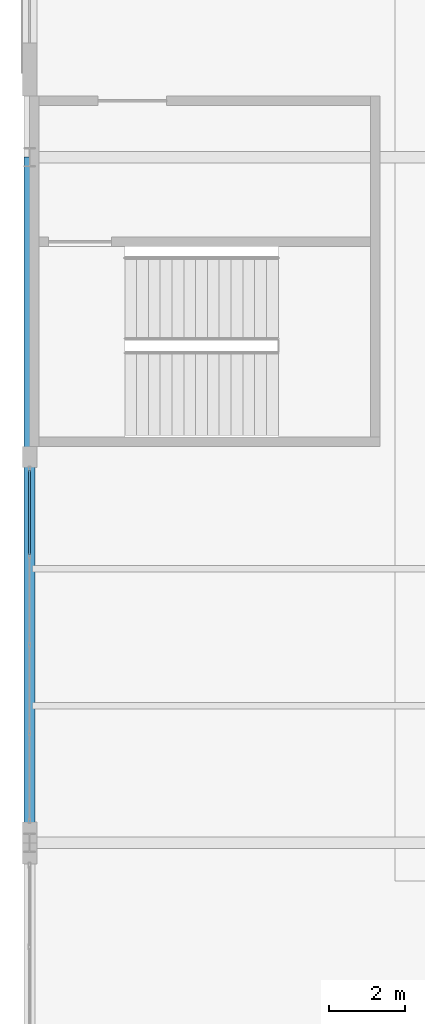
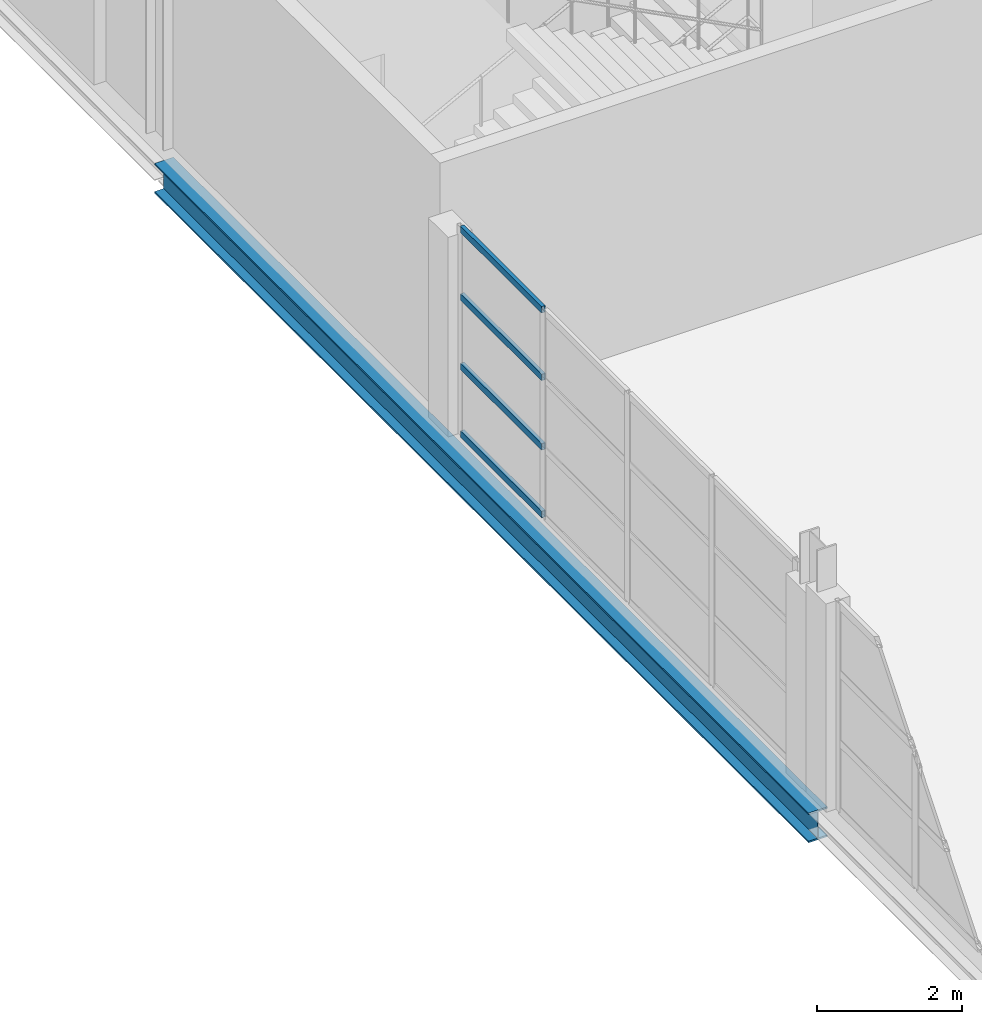
# One storey, part 34 of 158: 4 members, 1 beam, 1 element without a shape of its own.
"""IFC4 building model written with IfcOpenShell, lengths in metres."""

import ifcopenshell
import ifcopenshell.guid

model = None  # the IFC model being written
_history = None  # IfcOwnerHistory: only IFC2X3 demands one
_inside = {}  # id of a spatial element -> (the spatial element, [elements in it])
_under = {}  # id of a project, library or spatial element -> (it, [spatial elements below it])
_declared = {}  # id of a project -> (the project, [libraries it declares])
_typed = {}  # id of a type object -> (the type object, [elements of that type])
_made_of = {}  # id of a material, layer set ... -> (it, [elements and type objects made of it])


def new_model(schema):
    """Start an empty IFC model of exactly this schema.

    Asked for "IFC4X3", IfcOpenShell would pick the latest addendum, in which some entities
    have other attributes; the version numbers below select the first issue.
    IFC2X3 requires an IfcOwnerHistory on every rooted entity: one is made here for all.
    """
    global model, _history
    if schema == "IFC4X3":
        model = ifcopenshell.file(schema_version=(4, 3, 0, 0))
    else:
        model = ifcopenshell.file(schema=schema)
    _inside.clear()
    _under.clear()
    _declared.clear()
    _typed.clear()
    _made_of.clear()
    _history = None
    if model.schema == "IFC2X3":
        org = make("IfcOrganization", Name="unknown")
        user = make(
            "IfcPersonAndOrganization",
            ThePerson=make("IfcPerson", FamilyName="unknown"),
            TheOrganization=org,
        )
        app = make(
            "IfcApplication",
            ApplicationDeveloper=org,
            Version="unknown",
            ApplicationFullName="unknown",
            ApplicationIdentifier="unknown",
        )
        _history = make(
            "IfcOwnerHistory",
            OwningUser=user,
            OwningApplication=app,
            ChangeAction="ADDED",
            CreationDate=0,
        )
    return model


def make(cls, **values):
    """One entity of the class cls with the attributes given. An attribute that is None is left unset."""
    return model.create_entity(
        cls, **{name: value for name, value in values.items() if value is not None}
    )


def rooted(cls, **values):
    """An entity with a GlobalId (a new one), such as an element, a storey or a relation."""
    return make(cls, GlobalId=ifcopenshell.guid.new(), OwnerHistory=_history, **values)


def si_unit(unit_type, name, prefix=None):
    """IfcSIUnit, for example si_unit("LENGTHUNIT", "METRE", prefix="MILLI")."""
    return make("IfcSIUnit", UnitType=unit_type, Prefix=prefix, Name=name)


def assignment(units):
    """IfcUnitAssignment: the units of a project."""
    return None if units is None else make("IfcUnitAssignment", Units=units)


def point(xyz):
    """IfcCartesianPoint."""
    return None if xyz is None else make("IfcCartesianPoint", Coordinates=xyz)


def direction(xyz):
    """IfcDirection."""
    return None if xyz is None else make("IfcDirection", DirectionRatios=xyz)


def frame(location, z_axis=None, x_axis=None):
    """IfcAxis2Placement3D, a coordinate frame: its origin and axes. An axis left out is left unset."""
    return make(
        "IfcAxis2Placement3D",
        Location=point(location),
        Axis=direction(z_axis),
        RefDirection=direction(x_axis),
    )


def frame_2d(location, x_axis=None):
    """IfcAxis2Placement2D, a coordinate frame in the plane: its origin and x axis."""
    return make(
        "IfcAxis2Placement2D", Location=point(location), RefDirection=direction(x_axis)
    )


def origin():
    """The frame at (0, 0, 0) with its axes left unset."""
    return frame((0.0, 0.0, 0.0))


def origin_2d():
    """The frame at (0, 0) in the plane with its x axis left unset."""
    return frame_2d((0.0, 0.0))


def place(relative_to, where):
    """IfcLocalPlacement: puts the frame where relative to a parent placement (None: the world)."""
    return make(
        "IfcLocalPlacement", PlacementRelTo=relative_to, RelativePlacement=where
    )


def context(
    kind, dimensions, precision=None, world=None, true_north=None, identifier=None
):
    """IfcGeometricRepresentationContext, for example the 3D "Model" context."""
    return make(
        "IfcGeometricRepresentationContext",
        ContextIdentifier=identifier,
        ContextType=kind,
        CoordinateSpaceDimension=dimensions,
        Precision=precision,
        WorldCoordinateSystem=world,
        TrueNorth=true_north,
    )


def subcontext(parent, identifier, kind, view, scale=None):
    """IfcGeometricRepresentationSubContext, for example "Body" below "Model"."""
    return make(
        "IfcGeometricRepresentationSubContext",
        ContextIdentifier=identifier,
        ContextType=kind,
        ParentContext=parent,
        TargetScale=scale,
        TargetView=view,
    )


def project(units=None, contexts=None):
    """IfcProject with its units and contexts."""
    return rooted(
        "IfcProject",
        Name="project",
        RepresentationContexts=contexts,
        UnitsInContext=assignment(units),
    )


def spatial(cls, under=None, at=None, **own):
    """A site, building, storey or space (cls), placed at a placement, below another one or the project."""
    s = rooted(cls, ObjectPlacement=at, **own)
    if under is not None:
        _under.setdefault(under.id(), (under, []))[1].append(s)
    return s


def profile(cls, at=None, kind="AREA", **sizes):
    """A parametric profile (cls). Its sizes go by their IFC names, for example OverallWidth=200.0."""
    return make(cls, ProfileType=kind, Position=at, **sizes)


def hollow_rectangle(**sizes):
    """IfcRectangleHollowProfileDef."""
    return profile("IfcRectangleHollowProfileDef", **sizes)


def i_section(**sizes):
    """IfcIShapeProfileDef."""
    return profile("IfcIShapeProfileDef", **sizes)


def extrude(swept, where, along, depth):
    """IfcExtrudedAreaSolid: the profile swept, set in the frame where, extruded along a direction by depth."""
    return make(
        "IfcExtrudedAreaSolid",
        SweptArea=swept,
        Position=where,
        ExtrudedDirection=direction(along),
        Depth=depth,
    )


def shape(context_of_items, identifier, shape_type, items):
    """IfcShapeRepresentation: the items that make up one representation, for example the "Body"."""
    return make(
        "IfcShapeRepresentation",
        ContextOfItems=context_of_items,
        RepresentationIdentifier=identifier,
        RepresentationType=shape_type,
        Items=items,
    )


def material(Name=None, Category=None):
    """IfcMaterial."""
    return make("IfcMaterial", Name=Name, Category=Category)


def layer(
    of_material, thickness, ventilated=None, Name=None, Category=None, Priority=None
):
    """IfcMaterialLayer: one layer of a wall or slab, of a material (None: an air gap)."""
    return make(
        "IfcMaterialLayer",
        Material=of_material,
        LayerThickness=thickness,
        IsVentilated=ventilated,
        Name=Name,
        Category=Category,
        Priority=Priority,
    )


def layer_set(layers, Name=None):
    """IfcMaterialLayerSet."""
    return make("IfcMaterialLayerSet", MaterialLayers=layers, LayerSetName=Name)


def material_profile(
    of_material, cross_section, Name=None, Category=None, Priority=None
):
    """IfcMaterialProfile: a cross section and its material."""
    return make(
        "IfcMaterialProfile",
        Name=Name,
        Material=of_material,
        Profile=cross_section,
        Priority=Priority,
        Category=Category,
    )


def profile_set(profiles, Name=None, composite=None):
    """IfcMaterialProfileSet."""
    return make(
        "IfcMaterialProfileSet",
        Name=Name,
        MaterialProfiles=profiles,
        CompositeProfile=composite,
    )


def made_of(thing, what):
    """Note that an element or type object is made of a material, layer set ...; save() writes the relation."""
    if what is not None:
        _made_of.setdefault(what.id(), (what, []))[1].append(thing)
    return thing


def type_object(cls, material=None, **own):
    """A type object (cls), such as IfcWallType, which elements share."""
    return made_of(rooted(cls, **own), material)


def element(
    cls,
    number,
    at=None,
    inside=None,
    cuts=None,
    type_object=None,
    material=None,
    context=None,
    identifier="Body",
    shape_type=None,
    held_by="IfcProductDefinitionShape",
    body=None,
    shapes=None,
    **own,
):
    """One element of the class cls, such as IfcWall. Its Tag is "e" and its number.

    at: its placement. inside: the storey or other place that contains it. cuts: it is an
    opening in that element (IfcRelVoidsElement). A single representation is given by context,
    identifier, shape_type and body (its items); several are given by shapes. held_by: the class
    of the entity that holds the representations. save() writes the other relations.
    """
    e = rooted(cls, Tag="e%d" % number, ObjectPlacement=at, **own)
    if body is not None:
        shapes = [shape(context, identifier, shape_type, body)]
    if shapes is not None:
        e.Representation = make(held_by, Representations=shapes)
    if inside is not None:
        _inside.setdefault(inside.id(), (inside, []))[1].append(e)
    if cuts is not None:
        rooted(
            "IfcRelVoidsElement", RelatingBuildingElement=cuts, RelatedOpeningElement=e
        )
    if type_object is not None:
        _typed.setdefault(type_object.id(), (type_object, []))[1].append(e)
    return made_of(e, material)


def aggregate(whole, parts):
    """IfcRelAggregates: a whole, such as a stair, and the parts it consists of."""
    return rooted("IfcRelAggregates", RelatingObject=whole, RelatedObjects=parts)


def save(model, path):
    """Write the relations noted so far, then the file.

    IfcRelAggregates (storeys below a building ...), IfcRelContainedInSpatialStructure (elements
    in a storey), IfcRelDefinesByType, IfcRelAssociatesMaterial and IfcRelDeclares: one each for
    every whole, place, type object, material and project.
    """
    for whole, parts in _under.values():
        aggregate(whole, parts)
    for where, things in _inside.values():
        rooted(
            "IfcRelContainedInSpatialStructure",
            RelatedElements=things,
            RelatingStructure=where,
        )
    for kind, things in _typed.values():
        rooted("IfcRelDefinesByType", RelatedObjects=things, RelatingType=kind)
    for what, things in _made_of.values():
        rooted("IfcRelAssociatesMaterial", RelatedObjects=things, RelatingMaterial=what)
    for by, libraries in _declared.values():
        rooted("IfcRelDeclares", RelatingContext=by, RelatedDefinitions=libraries)
    model.write(path)


model = new_model("IFC4")

# Units and contexts
model_context = context("Model", 3, precision=1e-05, world=origin(), true_north=direction((0.0, 1.0)))
body_context = subcontext(model_context, "Body", "Model", "MODEL_VIEW")
ifc_project = project(units=[si_unit("LENGTHUNIT", "METRE"), si_unit("AREAUNIT", "SQUARE_METRE"), si_unit("VOLUMEUNIT", "CUBIC_METRE"), si_unit("PLANEANGLEUNIT", "RADIAN"), si_unit("MASSUNIT", "GRAM", prefix="KILO")], contexts=[model_context])

# Site, building, storey
site_placement = place(None, origin())
site = spatial("IfcSite", under=ifc_project, at=site_placement, CompositionType="ELEMENT")
building_placement = place(site_placement, origin())
building = spatial("IfcBuilding", under=site, at=building_placement, Name="Zilviju Railside Exhibition Hall", CompositionType="ELEMENT")
storey_placement = place(building_placement, frame((0.0, 0.0, 4.199951171875)))
storey = spatial("IfcBuildingStorey", under=building, at=storey_placement, Name="L02", CompositionType="ELEMENT", Elevation=4.199951171875)

# Beam
ifc_material_1 = material(Name="Steel S355J2", Category="steel")
ifc_material_profile_1 = material_profile(ifc_material_1, i_section(OverallWidth=0.300048828125, OverallDepth=0.5, WebThickness=0.014404296875, FlangeThickness=0.028076171875, at=origin_2d()), Name="HEB 500")
ifc_profile_set_1 = profile_set([ifc_material_profile_1], Name="Steel S355J2")
beam_type = type_object("IfcBeamType", Name="BM-HEB500", PredefinedType="BEAM", material=ifc_profile_set_1)
beam_placement = place(storey_placement, frame((0.0, 48.0, -0.60986328125), z_axis=(0.0, 1.0, 0.0), x_axis=(-1.0, 0.0, 0.0)))
element("IfcBeam", 1, at=beam_placement, inside=storey, type_object=beam_type, Name="Transverse Girder L02 X=0.0 (48.0..66.0)", PredefinedType="BEAM", context=body_context, shape_type="SweptSolid", body=[
    extrude(i_section(OverallWidth=0.300048828125, OverallDepth=0.5, WebThickness=0.014404296875, FlangeThickness=0.028076171875, at=origin_2d()), origin(), (0.0, 0.0, 1.0), 18.0),
])

# Curtain wall, members
ifc_material_2 = material(Name="Thermally broken aluminium-steel triple-glazed curtain wall", Category="steel")
ifc_layer = layer(ifc_material_2, 0.179931640625)
ifc_layer_set = layer_set([ifc_layer], Name="Thermally broken aluminium-steel triple-glazed curtain wall")
curtain_wall_type = type_object("IfcCurtainWallType", Name="CW-BAY-19", PredefinedType="USERDEFINED", material=ifc_layer_set)
curtain_wall_placement = place(storey_placement, origin())
curtain_wall = element("IfcCurtainWall", 2, at=curtain_wall_placement, inside=storey, type_object=curtain_wall_type, Name="Congress Crush Foyer Boulevard Curtain Wall L02 (48..58)", ObjectType="GLAZED CURTAIN WALL", PredefinedType="USERDEFINED")
ifc_material_3 = material(Name="Thermally broken anodized aluminium transom", Category="aluminium")
ifc_material_profile_2 = material_profile(ifc_material_3, hollow_rectangle(XDim=0.06005859375, YDim=0.110107421875, WallThickness=0.0048828125, at=origin_2d()), Name="TRANSOM 110x60x5")
ifc_profile_set_2 = profile_set([ifc_material_profile_2], Name="Thermally broken anodized aluminium transom")
member_type = type_object("IfcMemberType", Name="CWT-60x110", PredefinedType="USERDEFINED", material=ifc_profile_set_2)
member_1_placement = place(storey_placement, frame((0.0, 55.554931640625, 0.030029296875), z_axis=(0.0, 1.0, 0.0), x_axis=(-1.0, 0.0, 0.0)))
member_1 = element("IfcMember", 3, at=member_1_placement, type_object=member_type, Name="CW-19 transom 4.1", ObjectType="TRANSOM", PredefinedType="USERDEFINED", context=body_context, shape_type="SweptSolid", body=[
    extrude(hollow_rectangle(XDim=0.06005859375, YDim=0.110107421875, WallThickness=0.0048828125, at=origin_2d()), origin(), (0.0, 0.0, 1.0), 2.235107421875),
])
member_2_placement = place(storey_placement, frame((0.0, 55.554931640625, 1.1669921875), z_axis=(0.0, 1.0, 0.0), x_axis=(-1.0, 0.0, 0.0)))
member_2 = element("IfcMember", 4, at=member_2_placement, type_object=member_type, Name="CW-19 transom 4.2", ObjectType="TRANSOM", PredefinedType="USERDEFINED", context=body_context, shape_type="SweptSolid", body=[
    extrude(hollow_rectangle(XDim=0.06005859375, YDim=0.110107421875, WallThickness=0.0048828125, at=origin_2d()), origin(), (0.0, 0.0, 1.0), 2.235107421875),
])
member_3_placement = place(storey_placement, frame((0.0, 55.554931640625, 2.3330078125), z_axis=(0.0, 1.0, 0.0), x_axis=(-1.0, 0.0, 0.0)))
member_3 = element("IfcMember", 5, at=member_3_placement, type_object=member_type, Name="CW-19 transom 4.3", ObjectType="TRANSOM", PredefinedType="USERDEFINED", context=body_context, shape_type="SweptSolid", body=[
    extrude(hollow_rectangle(XDim=0.06005859375, YDim=0.110107421875, WallThickness=0.0048828125, at=origin_2d()), origin(), (0.0, 0.0, 1.0), 2.235107421875),
])
member_4_placement = place(storey_placement, frame((0.0, 55.554931640625, 3.469970703125), z_axis=(0.0, 1.0, 0.0), x_axis=(-1.0, 0.0, 0.0)))
member_4 = element("IfcMember", 6, at=member_4_placement, type_object=member_type, Name="CW-19 transom 4.4", ObjectType="TRANSOM", PredefinedType="USERDEFINED", context=body_context, shape_type="SweptSolid", body=[
    extrude(hollow_rectangle(XDim=0.06005859375, YDim=0.110107421875, WallThickness=0.0048828125, at=origin_2d()), origin(), (0.0, 0.0, 1.0), 2.235107421875),
])
aggregate(curtain_wall, [member_1, member_2, member_3, member_4])

save(model, "model.ifc")
